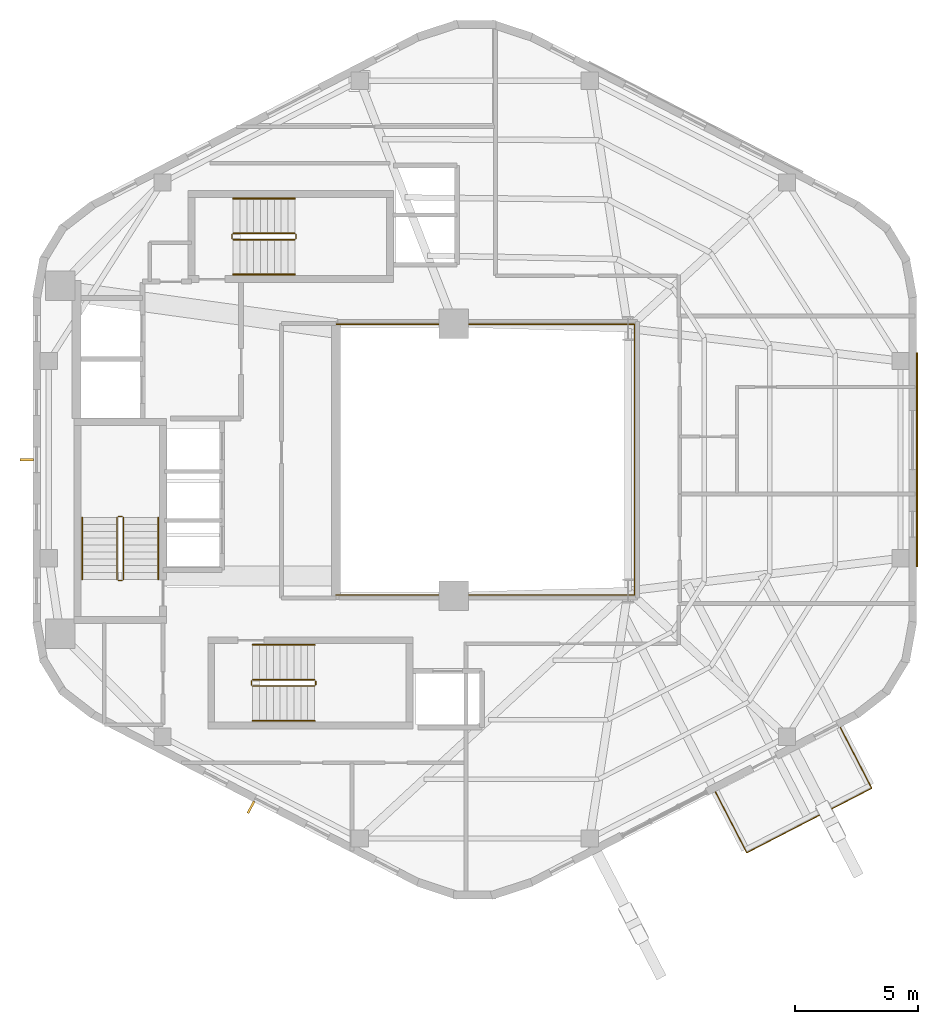
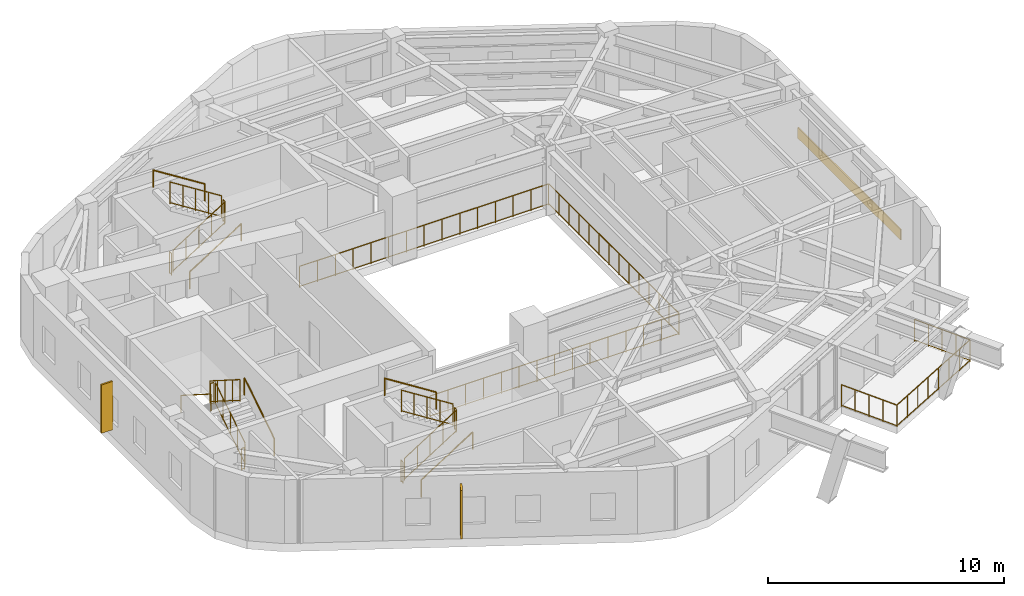
# One storey, part 8 of 9: 20 railings, 2 shading devices, 1 covering.
"""IFC4 building model written with IfcOpenShell, lengths in metres."""

from ifc_helpers import new_model, si_unit, direction, frame, origin, origin_2d, place, context, subcontext, project, spatial, rectangle, circle, extrude, material, layer, layer_set, type_object, element, save


model = new_model("IFC4")

# Units and contexts
model_context = context("Model", 3, precision=1e-05, world=origin(), true_north=direction((0.0, 1.0)))
body_context = subcontext(model_context, "Body", "Model", "MODEL_VIEW")
ifc_project = project(units=[si_unit("LENGTHUNIT", "METRE"), si_unit("AREAUNIT", "SQUARE_METRE"), si_unit("VOLUMEUNIT", "CUBIC_METRE"), si_unit("PLANEANGLEUNIT", "RADIAN"), si_unit("MASSUNIT", "GRAM", prefix="KILO"), si_unit("THERMODYNAMICTEMPERATUREUNIT", "KELVIN"), si_unit("POWERUNIT", "WATT")], contexts=[model_context])

# Site, building, storey
site_placement = place(None, origin())
site = spatial("IfcSite", under=ifc_project, at=site_placement, CompositionType="ELEMENT")
building_placement = place(site_placement, origin())
building = spatial("IfcBuilding", under=site, at=building_placement, Name="Skarre Station Tower", CompositionType="ELEMENT")
storey_placement = place(building_placement, frame((0.0, 0.0, 220.60009765625)))
storey = spatial("IfcBuildingStorey", under=building, at=storey_placement, Name="L60", CompositionType="ELEMENT", Elevation=220.60009765625)

# Railings
ifc_material_1 = material(Name="Bronze Anodized Steel & Laminated Glass Balustrade", Category="steel")
railing_type_1 = type_object("IfcRailingType", Name="Atrium Void & Mezzanine Guard Balustrade 1120", PredefinedType="GUARDRAIL", material=ifc_material_1)
railing_1_placement = place(storey_placement, frame((27.550048828125, 18.47998046875, 0.0)))
element("IfcRailing", 1, at=railing_1_placement, inside=storey, type_object=railing_type_1, Name="L60 Atrium Void Guard Balustrade", PredefinedType="GUARDRAIL", context=body_context, shape_type="SweptSolid", body=[
    extrude(circle(Radius=0.02392578125, at=origin_2d()), frame((0.0, 0.0, 1.09619140625), z_axis=(1.0, 0.0, 0.0), x_axis=(0.0, 1.0, 0.0)), (0.0, 0.0, 1.0), 12.169921875),
    extrude(circle(Radius=0.02099609375, at=origin_2d()), frame((0.0, 0.0, 0.06005859375), z_axis=(1.0, 0.0, 0.0), x_axis=(0.0, 1.0, 0.0)), (0.0, 0.0, 1.0), 12.169921875),
    extrude(circle(Radius=0.02392578125, at=origin_2d()), frame((12.169921875, 0.0, 1.09619140625), z_axis=(0.0, 1.0, 0.0), x_axis=(-1.0, 0.0, 0.0)), (0.0, 0.0, 1.0), 11.0400390625),
    extrude(circle(Radius=0.02099609375, at=origin_2d()), frame((12.169921875, 0.0, 0.06005859375), z_axis=(0.0, 1.0, 0.0), x_axis=(-1.0, 0.0, 0.0)), (0.0, 0.0, 1.0), 11.0400390625),
    extrude(circle(Radius=0.02392578125, at=origin_2d()), frame((12.169921875, 11.0400390625, 1.09619140625), z_axis=(-1.0, 0.0, 0.0), x_axis=(0.0, -1.0, 0.0)), (0.0, 0.0, 1.0), 12.169921875),
    extrude(circle(Radius=0.02099609375, at=origin_2d()), frame((12.169921875, 11.0400390625, 0.06005859375), z_axis=(-1.0, 0.0, 0.0), x_axis=(0.0, -1.0, 0.0)), (0.0, 0.0, 1.0), 12.169921875),
    extrude(circle(Radius=0.02099609375, at=origin_2d()), origin(), (0.0, 0.0, 1.0), 1.072021484375),
    extrude(circle(Radius=0.02099609375, at=origin_2d()), frame((0.869384765625, 0.0, 0.0)), (0.0, 0.0, 1.0), 1.072021484375),
    extrude(circle(Radius=0.02099609375, at=origin_2d()), frame((1.738525390625, 0.0, 0.0)), (0.0, 0.0, 1.0), 1.072021484375),
    extrude(circle(Radius=0.02099609375, at=origin_2d()), frame((2.60791015625, 0.0, 0.0)), (0.0, 0.0, 1.0), 1.072021484375),
    extrude(circle(Radius=0.02099609375, at=origin_2d()), frame((3.47705078125, 0.0, 0.0)), (0.0, 0.0, 1.0), 1.072021484375),
    extrude(circle(Radius=0.02099609375, at=origin_2d()), frame((4.346435546875, 0.0, 0.0)), (0.0, 0.0, 1.0), 1.072021484375),
    extrude(circle(Radius=0.02099609375, at=origin_2d()), frame((5.215576171875, 0.0, 0.0)), (0.0, 0.0, 1.0), 1.072021484375),
    extrude(circle(Radius=0.02099609375, at=origin_2d()), frame((6.0849609375, 0.0, 0.0)), (0.0, 0.0, 1.0), 1.072021484375),
    extrude(circle(Radius=0.02099609375, at=origin_2d()), frame((6.954345703125, 0.0, 0.0)), (0.0, 0.0, 1.0), 1.072021484375),
    extrude(circle(Radius=0.02099609375, at=origin_2d()), frame((7.823486328125, 0.0, 0.0)), (0.0, 0.0, 1.0), 1.072021484375),
    extrude(circle(Radius=0.02099609375, at=origin_2d()), frame((8.69287109375, 0.0, 0.0)), (0.0, 0.0, 1.0), 1.072021484375),
    extrude(circle(Radius=0.02099609375, at=origin_2d()), frame((9.56201171875, 0.0, 0.0)), (0.0, 0.0, 1.0), 1.072021484375),
    extrude(circle(Radius=0.02099609375, at=origin_2d()), frame((10.431396484375, 0.0, 0.0)), (0.0, 0.0, 1.0), 1.072021484375),
    extrude(circle(Radius=0.02099609375, at=origin_2d()), frame((11.300537109375, 0.0, 0.0)), (0.0, 0.0, 1.0), 1.072021484375),
    extrude(circle(Radius=0.02099609375, at=origin_2d()), frame((12.169921875, 0.0, 0.0)), (0.0, 0.0, 1.0), 1.072021484375),
    extrude(circle(Radius=0.02099609375, at=origin_2d()), frame((12.169921875, 0.84912109375, 0.0)), (0.0, 0.0, 1.0), 1.072021484375),
    extrude(circle(Radius=0.02099609375, at=origin_2d()), frame((12.169921875, 1.698486328125, 0.0)), (0.0, 0.0, 1.0), 1.072021484375),
    extrude(circle(Radius=0.02099609375, at=origin_2d()), frame((12.169921875, 2.547607421875, 0.0)), (0.0, 0.0, 1.0), 1.072021484375),
    extrude(circle(Radius=0.02099609375, at=origin_2d()), frame((12.169921875, 3.39697265625, 0.0)), (0.0, 0.0, 1.0), 1.072021484375),
    extrude(circle(Radius=0.02099609375, at=origin_2d()), frame((12.169921875, 4.24609375, 0.0)), (0.0, 0.0, 1.0), 1.072021484375),
    extrude(circle(Radius=0.02099609375, at=origin_2d()), frame((12.169921875, 5.095458984375, 0.0)), (0.0, 0.0, 1.0), 1.072021484375),
    extrude(circle(Radius=0.02099609375, at=origin_2d()), frame((12.169921875, 5.944580078125, 0.0)), (0.0, 0.0, 1.0), 1.072021484375),
    extrude(circle(Radius=0.02099609375, at=origin_2d()), frame((12.169921875, 6.7939453125, 0.0)), (0.0, 0.0, 1.0), 1.072021484375),
    extrude(circle(Radius=0.02099609375, at=origin_2d()), frame((12.169921875, 7.64306640625, 0.0)), (0.0, 0.0, 1.0), 1.072021484375),
    extrude(circle(Radius=0.02099609375, at=origin_2d()), frame((12.169921875, 8.492431640625, 0.0)), (0.0, 0.0, 1.0), 1.072021484375),
    extrude(circle(Radius=0.02099609375, at=origin_2d()), frame((12.169921875, 9.341552734375, 0.0)), (0.0, 0.0, 1.0), 1.072021484375),
    extrude(circle(Radius=0.02099609375, at=origin_2d()), frame((12.169921875, 10.19091796875, 0.0)), (0.0, 0.0, 1.0), 1.072021484375),
    extrude(circle(Radius=0.02099609375, at=origin_2d()), frame((12.169921875, 11.0400390625, 0.0)), (0.0, 0.0, 1.0), 1.072021484375),
    extrude(circle(Radius=0.02099609375, at=origin_2d()), frame((11.300537109375, 11.0400390625, 0.0)), (0.0, 0.0, 1.0), 1.072021484375),
    extrude(circle(Radius=0.02099609375, at=origin_2d()), frame((10.431396484375, 11.0400390625, 0.0)), (0.0, 0.0, 1.0), 1.072021484375),
    extrude(circle(Radius=0.02099609375, at=origin_2d()), frame((9.56201171875, 11.0400390625, 0.0)), (0.0, 0.0, 1.0), 1.072021484375),
    extrude(circle(Radius=0.02099609375, at=origin_2d()), frame((8.69287109375, 11.0400390625, 0.0)), (0.0, 0.0, 1.0), 1.072021484375),
    extrude(circle(Radius=0.02099609375, at=origin_2d()), frame((7.823486328125, 11.0400390625, 0.0)), (0.0, 0.0, 1.0), 1.072021484375),
    extrude(circle(Radius=0.02099609375, at=origin_2d()), frame((6.954345703125, 11.0400390625, 0.0)), (0.0, 0.0, 1.0), 1.072021484375),
    extrude(circle(Radius=0.02099609375, at=origin_2d()), frame((6.0849609375, 11.0400390625, 0.0)), (0.0, 0.0, 1.0), 1.072021484375),
    extrude(circle(Radius=0.02099609375, at=origin_2d()), frame((5.215576171875, 11.0400390625, 0.0)), (0.0, 0.0, 1.0), 1.072021484375),
    extrude(circle(Radius=0.02099609375, at=origin_2d()), frame((4.346435546875, 11.0400390625, 0.0)), (0.0, 0.0, 1.0), 1.072021484375),
    extrude(circle(Radius=0.02099609375, at=origin_2d()), frame((3.47705078125, 11.0400390625, 0.0)), (0.0, 0.0, 1.0), 1.072021484375),
    extrude(circle(Radius=0.02099609375, at=origin_2d()), frame((2.60791015625, 11.0400390625, 0.0)), (0.0, 0.0, 1.0), 1.072021484375),
    extrude(circle(Radius=0.02099609375, at=origin_2d()), frame((1.738525390625, 11.0400390625, 0.0)), (0.0, 0.0, 1.0), 1.072021484375),
    extrude(circle(Radius=0.02099609375, at=origin_2d()), frame((0.869384765625, 11.0400390625, 0.0)), (0.0, 0.0, 1.0), 1.072021484375),
    extrude(circle(Radius=0.02099609375, at=origin_2d()), frame((0.0, 11.0400390625, 0.0)), (0.0, 0.0, 1.0), 1.072021484375),
])
ifc_material_2 = material(Name="Stainless Steel Grade 316L & Laminated Safety Glass", Category="steel")
railing_type_2 = type_object("IfcRailingType", Name="Laminated Glass & Stainless Terrace Guardrail 1150", PredefinedType="BALUSTRADE", material=ifc_material_2)
railing_2_placement = place(storey_placement, frame((48.10595703125, 13.083984375, 0.0)))
element("IfcRailing", 2, at=railing_2_placement, inside=storey, type_object=railing_type_2, Name="L60 SG-3 Conservatory Terrace Guardrail", PredefinedType="BALUSTRADE", context=body_context, shape_type="SweptSolid", body=[
    extrude(circle(Radius=0.02392578125, at=origin_2d()), frame((0.0, 0.0, 1.1259765625), z_axis=(0.458796714428, -0.888541262312, 0.0), x_axis=(0.888541262312, 0.458796714428, 0.0)), (0.0, 0.0, 1.0), 2.7900390625),
    extrude(circle(Radius=0.02099609375, at=origin_2d()), frame((0.0, 0.0, 0.06005859375), z_axis=(0.458796714428, -0.888541262312, 0.0), x_axis=(0.888541262312, 0.458796714428, 0.0)), (0.0, 0.0, 1.0), 2.7900390625),
    extrude(circle(Radius=0.02392578125, at=origin_2d()), frame((1.280029296875, -2.47900390625, 1.1259765625), z_axis=(-0.888600487867, -0.458681995464, 0.0), x_axis=(0.458681995464, -0.888600487867, 0.0)), (0.0, 0.0, 1.0), 5.729248046875),
    extrude(circle(Radius=0.02099609375, at=origin_2d()), frame((1.280029296875, -2.47900390625, 0.06005859375), z_axis=(-0.888600487867, -0.458681995464, 0.0), x_axis=(0.458681995464, -0.888600487867, 0.0)), (0.0, 0.0, 1.0), 5.729248046875),
    extrude(circle(Radius=0.02392578125, at=origin_2d()), frame((-3.81103515625, -5.10693359375, 1.1259765625), z_axis=(-0.458796714428, 0.888541262312, 0.0), x_axis=(-0.888541262312, -0.458796714428, 0.0)), (0.0, 0.0, 1.0), 2.7900390625),
    extrude(circle(Radius=0.02099609375, at=origin_2d()), frame((-3.81103515625, -5.10693359375, 0.06005859375), z_axis=(-0.458796714428, 0.888541262312, 0.0), x_axis=(-0.888541262312, -0.458796714428, 0.0)), (0.0, 0.0, 1.0), 2.7900390625),
    extrude(circle(Radius=0.02099609375, at=origin_2d()), origin(), (0.0, 0.0, 1.0), 1.101806640625),
    extrude(circle(Radius=0.02099609375, at=origin_2d()), frame((0.320068359375, -0.61962890625, 0.0)), (0.0, 0.0, 1.0), 1.101806640625),
    extrude(circle(Radius=0.02099609375, at=origin_2d()), frame((0.64013671875, -1.239501953125, 0.0)), (0.0, 0.0, 1.0), 1.101806640625),
    extrude(circle(Radius=0.02099609375, at=origin_2d()), frame((0.9599609375, -1.859375, 0.0)), (0.0, 0.0, 1.0), 1.101806640625),
    extrude(circle(Radius=0.02099609375, at=origin_2d()), frame((1.280029296875, -2.47900390625, 0.0)), (0.0, 0.0, 1.0), 1.101806640625),
    extrude(circle(Radius=0.02099609375, at=origin_2d()), frame((0.552734375, -2.8544921875, 0.0)), (0.0, 0.0, 1.0), 1.101806640625),
    extrude(circle(Radius=0.02099609375, at=origin_2d()), frame((-0.174560546875, -3.229736328125, 0.0)), (0.0, 0.0, 1.0), 1.101806640625),
    extrude(circle(Radius=0.02099609375, at=origin_2d()), frame((-0.90185546875, -3.605224609375, 0.0)), (0.0, 0.0, 1.0), 1.101806640625),
    extrude(circle(Radius=0.02099609375, at=origin_2d()), frame((-1.629150390625, -3.980712890625, 0.0)), (0.0, 0.0, 1.0), 1.101806640625),
    extrude(circle(Radius=0.02099609375, at=origin_2d()), frame((-2.3564453125, -4.356201171875, 0.0)), (0.0, 0.0, 1.0), 1.101806640625),
    extrude(circle(Radius=0.02099609375, at=origin_2d()), frame((-3.083740234375, -4.7314453125, 0.0)), (0.0, 0.0, 1.0), 1.101806640625),
    extrude(circle(Radius=0.02099609375, at=origin_2d()), frame((-3.81103515625, -5.10693359375, 0.0)), (0.0, 0.0, 1.0), 1.101806640625),
    extrude(circle(Radius=0.02099609375, at=origin_2d()), frame((-4.131103515625, -4.4873046875, 0.0)), (0.0, 0.0, 1.0), 1.101806640625),
    extrude(circle(Radius=0.02099609375, at=origin_2d()), frame((-4.451171875, -3.867431640625, 0.0)), (0.0, 0.0, 1.0), 1.101806640625),
    extrude(circle(Radius=0.02099609375, at=origin_2d()), frame((-4.77099609375, -3.24755859375, 0.0)), (0.0, 0.0, 1.0), 1.101806640625),
    extrude(circle(Radius=0.02099609375, at=origin_2d()), frame((-5.091064453125, -2.6279296875, 0.0)), (0.0, 0.0, 1.0), 1.101806640625),
])

# Shading devices
ifc_material_3 = material(Name="Bronze Anodized Extruded Aluminium 6063-T6", Category="aluminium")
shading_device_type = type_object("IfcShadingDeviceType", Name="Nordic Bronze Vertical Solar Fin 550x90", PredefinedType="SHUTTER", material=ifc_material_3)
for number, where, z_axis, x_axis, name in (
    (3, (14.93701171875, 24.0, 0.349853515625), (0.0, 0.0, 1.0), (-1.0, 0.0, 0.0), "L60 Facet 2 Bronze Solar Fin"),
    (4, (24.0791015625, 9.827880859375, 0.349853515625), (0.0, 0.0, 1.0), (-0.458711590553, -0.88858521071, 0.0), "L60 Facet 3 Bronze Solar Fin"),
):
    element("IfcShadingDevice", number, at=place(storey_placement, frame(where, z_axis=z_axis, x_axis=x_axis)), inside=storey, type_object=shading_device_type, Name=name, PredefinedType="SHUTTER", context=body_context, shape_type="SweptSolid", body=[
        extrude(rectangle(XDim=0.550048828125, YDim=0.090087890625, at=origin_2d()), origin(), (0.0, 0.0, 1.0), 2.5),
    ])

# Railings
ifc_material_4 = material(Name="Powder-Coated Tubular Steel", Category="steel")
railing_type_3 = type_object("IfcRailingType", Name="Painted Steel Ramp & Stair Handrail 920", PredefinedType="HANDRAIL", material=ifc_material_4)
railing_3_placement = place(storey_placement, frame((20.300048828125, 19.1201171875, 0.177490234375)))
element("IfcRailing", 5, at=railing_3_placement, inside=storey, type_object=railing_type_3, Name="L60 ST-1 stair handrail 1", PredefinedType="HANDRAIL", context=body_context, shape_type="SweptSolid", body=[
    extrude(circle(Radius=0.02392578125, at=origin_2d()), frame((0.0, 0.0, 0.8759765625), z_axis=(0.0, 0.844583492756, 0.535423872987), x_axis=(-1.0, 0.0, 0.0)), (0.0, 0.0, 1.0), 2.9833984375),
    extrude(circle(Radius=0.02099609375, at=origin_2d()), origin(), (0.0, 0.0, 1.0), 0.851806640625),
    extrude(circle(Radius=0.02099609375, at=origin_2d()), frame((0.0, 2.519775390625, 1.597412109375)), (0.0, 0.0, 1.0), 0.851806640625),
])
railing_4_placement = place(storey_placement, frame((17.199951171875, 21.639892578125, 1.952392578125)))
element("IfcRailing", 6, at=railing_4_placement, inside=storey, type_object=railing_type_3, Name="L60 ST-1 stair handrail 2", PredefinedType="HANDRAIL", context=body_context, shape_type="SweptSolid", body=[
    extrude(circle(Radius=0.02392578125, at=origin_2d()), frame((0.0, 0.0, 0.8759765625), z_axis=(0.0, -0.844583492756, 0.535423872987), x_axis=(1.0, 0.0, 0.0)), (0.0, 0.0, 1.0), 2.9833984375),
    extrude(circle(Radius=0.02099609375, at=origin_2d()), origin(), (0.0, 0.0, 1.0), 0.851806640625),
    extrude(circle(Radius=0.02099609375, at=origin_2d()), frame((0.0, -2.519775390625, 1.597412109375)), (0.0, 0.0, 1.0), 0.851806640625),
])
railing_5_placement = place(storey_placement, frame((24.14990234375, 13.35009765625, 0.177490234375)))
element("IfcRailing", 7, at=railing_5_placement, inside=storey, type_object=railing_type_3, Name="L60 ST-2 stair handrail 1", PredefinedType="HANDRAIL", context=body_context, shape_type="SweptSolid", body=[
    extrude(circle(Radius=0.02392578125, at=origin_2d()), frame((0.0, 0.0, 0.8759765625), z_axis=(0.84460694969, 0.0, 0.535386869969), x_axis=(0.0, 1.0, 0.0)), (0.0, 0.0, 1.0), 2.983642578125),
    extrude(circle(Radius=0.02099609375, at=origin_2d()), origin(), (0.0, 0.0, 1.0), 0.851806640625),
    extrude(circle(Radius=0.02099609375, at=origin_2d()), frame((2.52001953125, 0.0, 1.597412109375)), (0.0, 0.0, 1.0), 0.851806640625),
])
railing_6_placement = place(storey_placement, frame((26.669921875, 16.449951171875, 1.952392578125)))
element("IfcRailing", 8, at=railing_6_placement, inside=storey, type_object=railing_type_3, Name="L60 ST-2 stair handrail 2", PredefinedType="HANDRAIL", context=body_context, shape_type="SweptSolid", body=[
    extrude(circle(Radius=0.02392578125, at=origin_2d()), frame((0.0, 0.0, 0.8759765625), z_axis=(-0.84460694969, 0.0, 0.535386869969), x_axis=(0.0, -1.0, 0.0)), (0.0, 0.0, 1.0), 2.983642578125),
    extrude(circle(Radius=0.02099609375, at=origin_2d()), origin(), (0.0, 0.0, 1.0), 0.851806640625),
    extrude(circle(Radius=0.02099609375, at=origin_2d()), frame((-2.52001953125, 0.0, 1.597412109375)), (0.0, 0.0, 1.0), 0.851806640625),
])
railing_7_placement = place(storey_placement, frame((23.35009765625, 31.550048828125, 0.177490234375)))
element("IfcRailing", 9, at=railing_7_placement, inside=storey, type_object=railing_type_3, Name="L60 ST-3 stair handrail 1", PredefinedType="HANDRAIL", context=body_context, shape_type="SweptSolid", body=[
    extrude(circle(Radius=0.02392578125, at=origin_2d()), frame((0.0, 0.0, 0.8759765625), z_axis=(0.84460694969, 0.0, 0.535386869969), x_axis=(0.0, 1.0, 0.0)), (0.0, 0.0, 1.0), 2.983642578125),
    extrude(circle(Radius=0.02099609375, at=origin_2d()), origin(), (0.0, 0.0, 1.0), 0.851806640625),
    extrude(circle(Radius=0.02099609375, at=origin_2d()), frame((2.52001953125, 0.0, 1.597412109375)), (0.0, 0.0, 1.0), 0.851806640625),
])
railing_8_placement = place(storey_placement, frame((25.8701171875, 34.64990234375, 1.952392578125)))
element("IfcRailing", 10, at=railing_8_placement, inside=storey, type_object=railing_type_3, Name="L60 ST-3 stair handrail 2", PredefinedType="HANDRAIL", context=body_context, shape_type="SweptSolid", body=[
    extrude(circle(Radius=0.02392578125, at=origin_2d()), frame((0.0, 0.0, 0.8759765625), z_axis=(-0.84460694969, 0.0, 0.535386869969), x_axis=(0.0, -1.0, 0.0)), (0.0, 0.0, 1.0), 2.983642578125),
    extrude(circle(Radius=0.02099609375, at=origin_2d()), origin(), (0.0, 0.0, 1.0), 0.851806640625),
    extrude(circle(Radius=0.02099609375, at=origin_2d()), frame((-2.52001953125, 0.0, 1.597412109375)), (0.0, 0.0, 1.0), 0.851806640625),
])
railing_type_4 = type_object("IfcRailingType", Name="Painted Steel Stairwell Guardrail 1100", PredefinedType="GUARDRAIL", material=ifc_material_4)
railing_9_placement = place(storey_placement, frame((18.8798828125, 19.1201171875, 0.177490234375)))
element("IfcRailing", 11, at=railing_9_placement, inside=storey, type_object=railing_type_4, Name="L60 ST-1 stair guard 1", PredefinedType="GUARDRAIL", context=body_context, shape_type="SweptSolid", body=[
    extrude(circle(Radius=0.02392578125, at=origin_2d()), frame((0.0, 0.0, 1.1259765625), z_axis=(0.0, 0.844583492756, 0.535423872987), x_axis=(-1.0, 0.0, 0.0)), (0.0, 0.0, 1.0), 2.9833984375),
    extrude(circle(Radius=0.02099609375, at=origin_2d()), frame((0.0, 0.0, 0.06005859375), z_axis=(0.0, 0.844583492756, 0.535423872987), x_axis=(-1.0, 0.0, 0.0)), (0.0, 0.0, 1.0), 2.9833984375),
    extrude(circle(Radius=0.02099609375, at=origin_2d()), origin(), (0.0, 0.0, 1.0), 1.101806640625),
    extrude(circle(Radius=0.02099609375, at=origin_2d()), frame((0.0, 0.6298828125, 0.3994140625)), (0.0, 0.0, 1.0), 1.101806640625),
    extrude(circle(Radius=0.02099609375, at=origin_2d()), frame((0.0, 1.259765625, 0.798828125)), (0.0, 0.0, 1.0), 1.101806640625),
    extrude(circle(Radius=0.02099609375, at=origin_2d()), frame((0.0, 1.889892578125, 1.197998046875)), (0.0, 0.0, 1.0), 1.101806640625),
    extrude(circle(Radius=0.02099609375, at=origin_2d()), frame((0.0, 2.519775390625, 1.597412109375)), (0.0, 0.0, 1.0), 1.101806640625),
])
railing_10_placement = place(storey_placement, frame((18.830078125, 21.68994140625, 1.77490234375)))
element("IfcRailing", 12, at=railing_10_placement, inside=storey, type_object=railing_type_4, Name="L60 ST-1 stair guard 2", PredefinedType="GUARDRAIL", context=body_context, shape_type="SweptSolid", body=[
    extrude(circle(Radius=0.02392578125, at=origin_2d()), frame((0.0, 0.0, 1.1259765625), z_axis=(-1.0, 0.0, 0.0), x_axis=(0.0, -1.0, 0.0)), (0.0, 0.0, 1.0), 0.16015625),
    extrude(circle(Radius=0.02099609375, at=origin_2d()), frame((0.0, 0.0, 0.06005859375), z_axis=(-1.0, 0.0, 0.0), x_axis=(0.0, -1.0, 0.0)), (0.0, 0.0, 1.0), 0.16015625),
    extrude(circle(Radius=0.02099609375, at=origin_2d()), origin(), (0.0, 0.0, 1.0), 1.101806640625),
    extrude(circle(Radius=0.02099609375, at=origin_2d()), frame((-0.16015625, 0.0, 0.0)), (0.0, 0.0, 1.0), 1.101806640625),
])
railing_11_placement = place(storey_placement, frame((18.6201171875, 21.639892578125, 1.952392578125)))
element("IfcRailing", 13, at=railing_11_placement, inside=storey, type_object=railing_type_4, Name="L60 ST-1 stair guard 3", PredefinedType="GUARDRAIL", context=body_context, shape_type="SweptSolid", body=[
    extrude(circle(Radius=0.02392578125, at=origin_2d()), frame((0.0, 0.0, 1.1259765625), z_axis=(0.0, -0.844583492756, 0.535423872987), x_axis=(1.0, 0.0, 0.0)), (0.0, 0.0, 1.0), 2.9833984375),
    extrude(circle(Radius=0.02099609375, at=origin_2d()), frame((0.0, 0.0, 0.06005859375), z_axis=(0.0, -0.844583492756, 0.535423872987), x_axis=(1.0, 0.0, 0.0)), (0.0, 0.0, 1.0), 2.9833984375),
    extrude(circle(Radius=0.02099609375, at=origin_2d()), origin(), (0.0, 0.0, 1.0), 1.101806640625),
    extrude(circle(Radius=0.02099609375, at=origin_2d()), frame((0.0, -0.6298828125, 0.3994140625)), (0.0, 0.0, 1.0), 1.101806640625),
    extrude(circle(Radius=0.02099609375, at=origin_2d()), frame((0.0, -1.259765625, 0.798828125)), (0.0, 0.0, 1.0), 1.101806640625),
    extrude(circle(Radius=0.02099609375, at=origin_2d()), frame((0.0, -1.889892578125, 1.197998046875)), (0.0, 0.0, 1.0), 1.101806640625),
    extrude(circle(Radius=0.02099609375, at=origin_2d()), frame((0.0, -2.519775390625, 1.597412109375)), (0.0, 0.0, 1.0), 1.101806640625),
])
railing_12_placement = place(storey_placement, frame((18.830078125, 19.070068359375, 0.0)))
element("IfcRailing", 14, at=railing_12_placement, inside=storey, type_object=railing_type_4, Name="L60 ST-1 stair guard 4", PredefinedType="GUARDRAIL", context=body_context, shape_type="SweptSolid", body=[
    extrude(circle(Radius=0.02392578125, at=origin_2d()), frame((0.0, 0.0, 1.1259765625), z_axis=(-1.0, 0.0, 0.0), x_axis=(0.0, -1.0, 0.0)), (0.0, 0.0, 1.0), 0.16015625),
    extrude(circle(Radius=0.02099609375, at=origin_2d()), frame((0.0, 0.0, 0.06005859375), z_axis=(-1.0, 0.0, 0.0), x_axis=(0.0, -1.0, 0.0)), (0.0, 0.0, 1.0), 0.16015625),
    extrude(circle(Radius=0.02099609375, at=origin_2d()), origin(), (0.0, 0.0, 1.0), 1.101806640625),
    extrude(circle(Radius=0.02099609375, at=origin_2d()), frame((-0.16015625, 0.0, 0.0)), (0.0, 0.0, 1.0), 1.101806640625),
])
railing_13_placement = place(storey_placement, frame((24.14990234375, 14.77001953125, 0.177490234375)))
element("IfcRailing", 15, at=railing_13_placement, inside=storey, type_object=railing_type_4, Name="L60 ST-2 stair guard 1", PredefinedType="GUARDRAIL", context=body_context, shape_type="SweptSolid", body=[
    extrude(circle(Radius=0.02392578125, at=origin_2d()), frame((0.0, 0.0, 1.1259765625), z_axis=(0.84460694969, 0.0, 0.535386869969), x_axis=(0.0, 1.0, 0.0)), (0.0, 0.0, 1.0), 2.983642578125),
    extrude(circle(Radius=0.02099609375, at=origin_2d()), frame((0.0, 0.0, 0.06005859375), z_axis=(0.84460694969, 0.0, 0.535386869969), x_axis=(0.0, 1.0, 0.0)), (0.0, 0.0, 1.0), 2.983642578125),
    extrude(circle(Radius=0.02099609375, at=origin_2d()), origin(), (0.0, 0.0, 1.0), 1.101806640625),
    extrude(circle(Radius=0.02099609375, at=origin_2d()), frame((0.6298828125, 0.0, 0.3994140625)), (0.0, 0.0, 1.0), 1.101806640625),
    extrude(circle(Radius=0.02099609375, at=origin_2d()), frame((1.260009765625, 0.0, 0.798828125)), (0.0, 0.0, 1.0), 1.101806640625),
    extrude(circle(Radius=0.02099609375, at=origin_2d()), frame((1.89013671875, 0.0, 1.197998046875)), (0.0, 0.0, 1.0), 1.101806640625),
    extrude(circle(Radius=0.02099609375, at=origin_2d()), frame((2.52001953125, 0.0, 1.597412109375)), (0.0, 0.0, 1.0), 1.101806640625),
])
railing_14_placement = place(storey_placement, frame((26.719970703125, 14.820068359375, 1.77490234375)))
element("IfcRailing", 16, at=railing_14_placement, inside=storey, type_object=railing_type_4, Name="L60 ST-2 stair guard 2", PredefinedType="GUARDRAIL", context=body_context, shape_type="SweptSolid", body=[
    extrude(circle(Radius=0.02392578125, at=origin_2d()), frame((0.0, 0.0, 1.1259765625), z_axis=(0.0, 1.0, 0.0), x_axis=(-1.0, 0.0, 0.0)), (0.0, 0.0, 1.0), 0.159912109375),
    extrude(circle(Radius=0.02099609375, at=origin_2d()), frame((0.0, 0.0, 0.06005859375), z_axis=(0.0, 1.0, 0.0), x_axis=(-1.0, 0.0, 0.0)), (0.0, 0.0, 1.0), 0.159912109375),
    extrude(circle(Radius=0.02099609375, at=origin_2d()), origin(), (0.0, 0.0, 1.0), 1.101806640625),
    extrude(circle(Radius=0.02099609375, at=origin_2d()), frame((0.0, 0.159912109375, 0.0)), (0.0, 0.0, 1.0), 1.101806640625),
])
railing_15_placement = place(storey_placement, frame((26.669921875, 15.030029296875, 1.952392578125)))
element("IfcRailing", 17, at=railing_15_placement, inside=storey, type_object=railing_type_4, Name="L60 ST-2 stair guard 3", PredefinedType="GUARDRAIL", context=body_context, shape_type="SweptSolid", body=[
    extrude(circle(Radius=0.02392578125, at=origin_2d()), frame((0.0, 0.0, 1.1259765625), z_axis=(-0.84460694969, 0.0, 0.535386869969), x_axis=(0.0, -1.0, 0.0)), (0.0, 0.0, 1.0), 2.983642578125),
    extrude(circle(Radius=0.02099609375, at=origin_2d()), frame((0.0, 0.0, 0.06005859375), z_axis=(-0.84460694969, 0.0, 0.535386869969), x_axis=(0.0, -1.0, 0.0)), (0.0, 0.0, 1.0), 2.983642578125),
    extrude(circle(Radius=0.02099609375, at=origin_2d()), origin(), (0.0, 0.0, 1.0), 1.101806640625),
    extrude(circle(Radius=0.02099609375, at=origin_2d()), frame((-0.6298828125, 0.0, 0.3994140625)), (0.0, 0.0, 1.0), 1.101806640625),
    extrude(circle(Radius=0.02099609375, at=origin_2d()), frame((-1.260009765625, 0.0, 0.798828125)), (0.0, 0.0, 1.0), 1.101806640625),
    extrude(circle(Radius=0.02099609375, at=origin_2d()), frame((-1.89013671875, 0.0, 1.197998046875)), (0.0, 0.0, 1.0), 1.101806640625),
    extrude(circle(Radius=0.02099609375, at=origin_2d()), frame((-2.52001953125, 0.0, 1.597412109375)), (0.0, 0.0, 1.0), 1.101806640625),
])
railing_16_placement = place(storey_placement, frame((24.10009765625, 14.820068359375, 0.0)))
element("IfcRailing", 18, at=railing_16_placement, inside=storey, type_object=railing_type_4, Name="L60 ST-2 stair guard 4", PredefinedType="GUARDRAIL", context=body_context, shape_type="SweptSolid", body=[
    extrude(circle(Radius=0.02392578125, at=origin_2d()), frame((0.0, 0.0, 1.1259765625), z_axis=(0.0, 1.0, 0.0), x_axis=(-1.0, 0.0, 0.0)), (0.0, 0.0, 1.0), 0.159912109375),
    extrude(circle(Radius=0.02099609375, at=origin_2d()), frame((0.0, 0.0, 0.06005859375), z_axis=(0.0, 1.0, 0.0), x_axis=(-1.0, 0.0, 0.0)), (0.0, 0.0, 1.0), 0.159912109375),
    extrude(circle(Radius=0.02099609375, at=origin_2d()), origin(), (0.0, 0.0, 1.0), 1.101806640625),
    extrude(circle(Radius=0.02099609375, at=origin_2d()), frame((0.0, 0.159912109375, 0.0)), (0.0, 0.0, 1.0), 1.101806640625),
])
railing_17_placement = place(storey_placement, frame((23.35009765625, 32.969970703125, 0.177490234375)))
element("IfcRailing", 19, at=railing_17_placement, inside=storey, type_object=railing_type_4, Name="L60 ST-3 stair guard 1", PredefinedType="GUARDRAIL", context=body_context, shape_type="SweptSolid", body=[
    extrude(circle(Radius=0.02392578125, at=origin_2d()), frame((0.0, 0.0, 1.1259765625), z_axis=(0.84460694969, 0.0, 0.535386869969), x_axis=(0.0, 1.0, 0.0)), (0.0, 0.0, 1.0), 2.983642578125),
    extrude(circle(Radius=0.02099609375, at=origin_2d()), frame((0.0, 0.0, 0.06005859375), z_axis=(0.84460694969, 0.0, 0.535386869969), x_axis=(0.0, 1.0, 0.0)), (0.0, 0.0, 1.0), 2.983642578125),
    extrude(circle(Radius=0.02099609375, at=origin_2d()), origin(), (0.0, 0.0, 1.0), 1.101806640625),
    extrude(circle(Radius=0.02099609375, at=origin_2d()), frame((0.6298828125, 0.0, 0.3994140625)), (0.0, 0.0, 1.0), 1.101806640625),
    extrude(circle(Radius=0.02099609375, at=origin_2d()), frame((1.260009765625, 0.0, 0.798828125)), (0.0, 0.0, 1.0), 1.101806640625),
    extrude(circle(Radius=0.02099609375, at=origin_2d()), frame((1.89013671875, 0.0, 1.197998046875)), (0.0, 0.0, 1.0), 1.101806640625),
    extrude(circle(Radius=0.02099609375, at=origin_2d()), frame((2.52001953125, 0.0, 1.597412109375)), (0.0, 0.0, 1.0), 1.101806640625),
])
railing_18_placement = place(storey_placement, frame((25.919921875, 33.02001953125, 1.77490234375)))
element("IfcRailing", 20, at=railing_18_placement, inside=storey, type_object=railing_type_4, Name="L60 ST-3 stair guard 2", PredefinedType="GUARDRAIL", context=body_context, shape_type="SweptSolid", body=[
    extrude(circle(Radius=0.02392578125, at=origin_2d()), frame((0.0, 0.0, 1.1259765625), z_axis=(0.0, 1.0, 0.0), x_axis=(-1.0, 0.0, 0.0)), (0.0, 0.0, 1.0), 0.159912109375),
    extrude(circle(Radius=0.02099609375, at=origin_2d()), frame((0.0, 0.0, 0.06005859375), z_axis=(0.0, 1.0, 0.0), x_axis=(-1.0, 0.0, 0.0)), (0.0, 0.0, 1.0), 0.159912109375),
    extrude(circle(Radius=0.02099609375, at=origin_2d()), origin(), (0.0, 0.0, 1.0), 1.101806640625),
    extrude(circle(Radius=0.02099609375, at=origin_2d()), frame((0.0, 0.159912109375, 0.0)), (0.0, 0.0, 1.0), 1.101806640625),
])
railing_19_placement = place(storey_placement, frame((25.8701171875, 33.22998046875, 1.952392578125)))
element("IfcRailing", 21, at=railing_19_placement, inside=storey, type_object=railing_type_4, Name="L60 ST-3 stair guard 3", PredefinedType="GUARDRAIL", context=body_context, shape_type="SweptSolid", body=[
    extrude(circle(Radius=0.02392578125, at=origin_2d()), frame((0.0, 0.0, 1.1259765625), z_axis=(-0.84460694969, 0.0, 0.535386869969), x_axis=(0.0, -1.0, 0.0)), (0.0, 0.0, 1.0), 2.983642578125),
    extrude(circle(Radius=0.02099609375, at=origin_2d()), frame((0.0, 0.0, 0.06005859375), z_axis=(-0.84460694969, 0.0, 0.535386869969), x_axis=(0.0, -1.0, 0.0)), (0.0, 0.0, 1.0), 2.983642578125),
    extrude(circle(Radius=0.02099609375, at=origin_2d()), origin(), (0.0, 0.0, 1.0), 1.101806640625),
    extrude(circle(Radius=0.02099609375, at=origin_2d()), frame((-0.6298828125, 0.0, 0.3994140625)), (0.0, 0.0, 1.0), 1.101806640625),
    extrude(circle(Radius=0.02099609375, at=origin_2d()), frame((-1.260009765625, 0.0, 0.798828125)), (0.0, 0.0, 1.0), 1.101806640625),
    extrude(circle(Radius=0.02099609375, at=origin_2d()), frame((-1.89013671875, 0.0, 1.197998046875)), (0.0, 0.0, 1.0), 1.101806640625),
    extrude(circle(Radius=0.02099609375, at=origin_2d()), frame((-2.52001953125, 0.0, 1.597412109375)), (0.0, 0.0, 1.0), 1.101806640625),
])
railing_20_placement = place(storey_placement, frame((23.300048828125, 33.02001953125, 0.0)))
element("IfcRailing", 22, at=railing_20_placement, inside=storey, type_object=railing_type_4, Name="L60 ST-3 stair guard 4", PredefinedType="GUARDRAIL", context=body_context, shape_type="SweptSolid", body=[
    extrude(circle(Radius=0.02392578125, at=origin_2d()), frame((0.0, 0.0, 1.1259765625), z_axis=(0.0, 1.0, 0.0), x_axis=(-1.0, 0.0, 0.0)), (0.0, 0.0, 1.0), 0.159912109375),
    extrude(circle(Radius=0.02099609375, at=origin_2d()), frame((0.0, 0.0, 0.06005859375), z_axis=(0.0, 1.0, 0.0), x_axis=(-1.0, 0.0, 0.0)), (0.0, 0.0, 1.0), 0.159912109375),
    extrude(circle(Radius=0.02099609375, at=origin_2d()), origin(), (0.0, 0.0, 1.0), 1.101806640625),
    extrude(circle(Radius=0.02099609375, at=origin_2d()), frame((0.0, 0.159912109375, 0.0)), (0.0, 0.0, 1.0), 1.101806640625),
])

# Covering
ifc_material_5 = material(Name="Honed Pale Nordic Granite Cladding", Category="masonry")
ifc_layer = layer(ifc_material_5, 0.06005859375, Name="Honed Pale Nordic Granite Cladding")
ifc_layer_set = layer_set([ifc_layer], Name="Honed Pale Nordic Granite Cladding")
covering_type = type_object("IfcCoveringType", Name="Precast Pier Spandrel Reveal Cladding 60", PredefinedType="CLADDING", material=ifc_layer_set)
covering_placement = place(storey_placement, frame((51.238037109375, 24.0, 0.14501953125), z_axis=(0.0, 0.0, 1.0), x_axis=(0.0, 1.0, 0.0)))
element("IfcCovering", 23, at=covering_placement, inside=storey, type_object=covering_type, Name="L60 Facet 5 Granite Spandrel Cladding", PredefinedType="CLADDING", context=body_context, shape_type="SweptSolid", body=[
    extrude(rectangle(XDim=8.712890625, YDim=0.06005859375, at=origin_2d()), origin(), (0.0, 0.0, 1.0), 0.550048828125),
])

save(model, "model.ifc")
